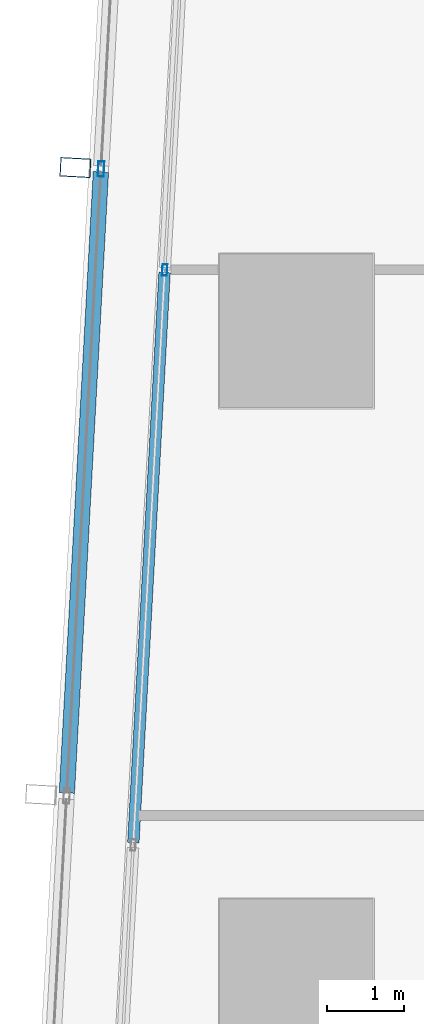
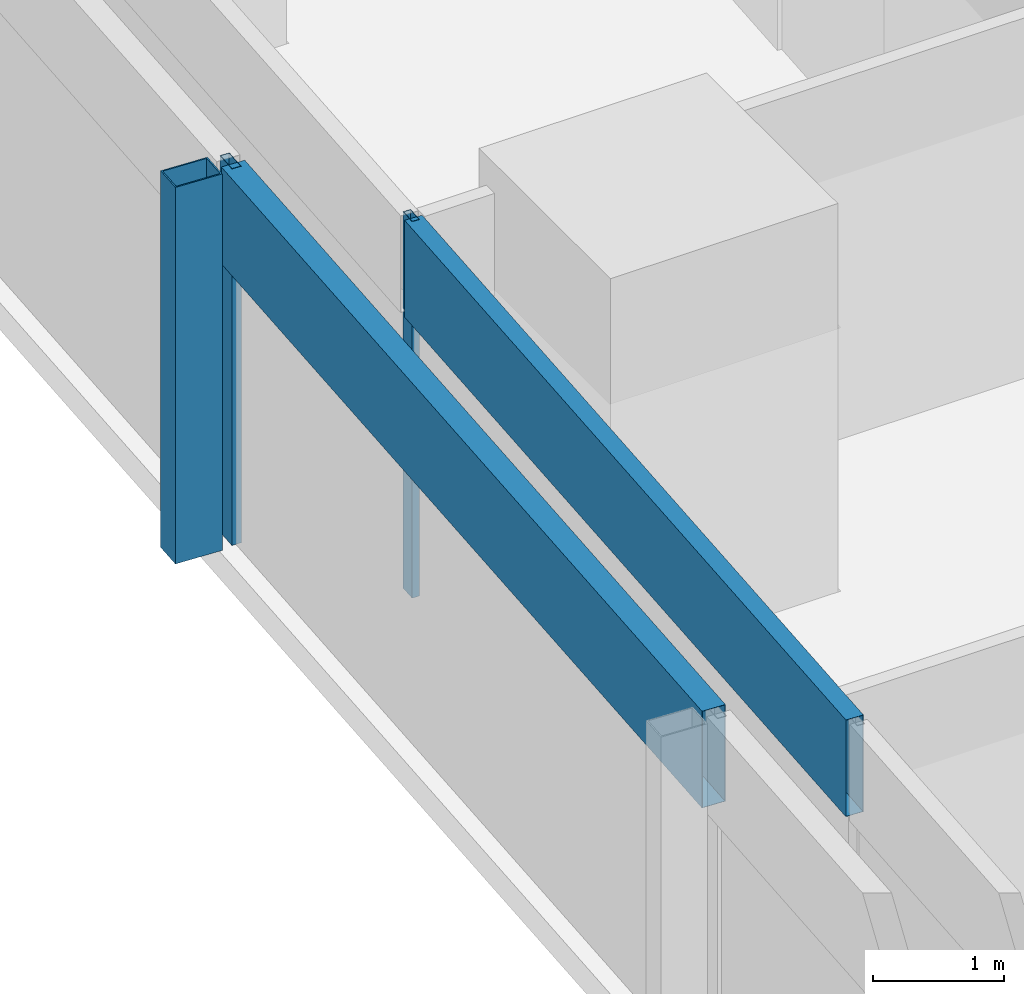
# One storey, part 8 of 39: 5 members, 2 elements without a shape of their own.
"""IFC4 building model written with IfcOpenShell, lengths in metres."""

from ifc_helpers import new_model, si_unit, direction, frame, origin, origin_2d, place, context, subcontext, project, spatial, hollow_rectangle, extrude, material, material_profile, profile_set, type_object, element, aggregate, save


model = new_model("IFC4")

# Units and contexts
model_context = context("Model", 3, precision=1e-05, world=origin(), true_north=direction((0.0, 1.0)))
body_context = subcontext(model_context, "Body", "Model", "MODEL_VIEW")
ifc_project = project(units=[si_unit("LENGTHUNIT", "METRE"), si_unit("AREAUNIT", "SQUARE_METRE"), si_unit("VOLUMEUNIT", "CUBIC_METRE"), si_unit("PLANEANGLEUNIT", "RADIAN"), si_unit("MASSUNIT", "GRAM", prefix="KILO")], contexts=[model_context])

# Site, building, storey
site_placement = place(None, origin())
site = spatial("IfcSite", under=ifc_project, at=site_placement, CompositionType="ELEMENT")
building_placement = place(site_placement, origin())
building = spatial("IfcBuilding", under=site, at=building_placement, Name="Rekha Terrace Tower", CompositionType="ELEMENT")
storey_placement = place(building_placement, frame((0.0, 0.0, 147.800048828125)))
storey = spatial("IfcBuildingStorey", under=building, at=storey_placement, Name="L37", CompositionType="ELEMENT", Elevation=147.800048828125)

# Curtain wall, member
ifc_material_1 = material(Name="Aluminium framing", Category="aluminium")
curtain_wall_type_1 = type_object("IfcCurtainWallType", Name="CW2 double skin outer glazing", PredefinedType="USERDEFINED", material=ifc_material_1)
curtain_wall_1_placement = place(storey_placement, origin())
curtain_wall_1 = element("IfcCurtainWall", 1, at=curtain_wall_1_placement, inside=storey, type_object=curtain_wall_type_1, Name="CW2 double skin outer glazing", ObjectType="DOUBLE SKIN OUTER GLAZING", PredefinedType="USERDEFINED")
ifc_material_2 = material(Name="Steel S355 with fluorocarbon finish", Category="steel")
ifc_material_profile_1 = material_profile(ifc_material_2, hollow_rectangle(XDim=0.25, YDim=0.39990234375, WallThickness=0.012451171875, at=origin_2d()), Name="RHS400x250x12.5")
ifc_profile_set_1 = profile_set([ifc_material_profile_1], Name="Steel S355 with fluorocarbon finish")
member_type_1 = type_object("IfcMemberType", Name="BL1 facade blade RHS 400 x 250", PredefinedType="USERDEFINED", material=ifc_profile_set_1)
member_1_placement = place(storey_placement, frame((5.521728515625, 44.128662109375, 0.0), z_axis=(0.0, 0.0, 1.0), x_axis=(-0.054742798353, -0.998500488747, 0.0)))
member_1 = element("IfcMember", 2, at=member_1_placement, type_object=member_type_1, Name="Facade blade", ObjectType="FACADE BLADE", PredefinedType="USERDEFINED", context=body_context, shape_type="SweptSolid", body=[
    extrude(hollow_rectangle(XDim=0.25, YDim=0.39990234375, WallThickness=0.012451171875, at=origin_2d()), origin(), (0.0, 0.0, 1.0), 3.5),
])

# Curtain wall, members
curtain_wall_type_2 = type_object("IfcCurtainWallType", Name="CW1 double skin inner glazing", PredefinedType="USERDEFINED", material=ifc_material_1)
curtain_wall_2_placement = place(storey_placement, origin())
curtain_wall_2 = element("IfcCurtainWall", 3, at=curtain_wall_2_placement, inside=storey, type_object=curtain_wall_type_2, Name="CW1 double skin inner glazing", ObjectType="DOUBLE SKIN INNER GLAZING", PredefinedType="USERDEFINED")
ifc_material_3 = material(Name="Aluminium mullion section", Category="aluminium")
ifc_material_profile_2 = material_profile(ifc_material_3, hollow_rectangle(XDim=0.06494140625, YDim=0.14990234375, WallThickness=0.00390625, at=origin_2d()), Name="AL RHS 65x150")
ifc_profile_set_2 = profile_set([ifc_material_profile_2], Name="Aluminium mullion section")
member_type_2 = type_object("IfcMemberType", Name="CW1 mullion RHS 65 x 150", PredefinedType="MULLION", material=ifc_profile_set_2)
member_2_placement = place(storey_placement, frame((6.685302734375, 42.794189453125, 0.0), z_axis=(0.0, 0.0, 1.0), x_axis=(0.99850051318, -0.054742352707, 0.0)))
member_2 = element("IfcMember", 4, at=member_2_placement, type_object=member_type_2, Name="CW1 mullion 3", PredefinedType="MULLION", context=body_context, shape_type="SweptSolid", body=[
    extrude(hollow_rectangle(XDim=0.06494140625, YDim=0.14990234375, WallThickness=0.00390625, at=origin_2d()), origin(), (0.0, 0.0, 1.0), 3.5),
])
ifc_material_4 = material(Name="Insulated aluminium spandrel box", Category="aluminium")
ifc_material_profile_3 = material_profile(ifc_material_4, hollow_rectangle(XDim=0.14990234375, YDim=0.89990234375, WallThickness=0.0029296875, at=origin_2d()), Name="AL SPANDREL BOX 150x900")
ifc_profile_set_3 = profile_set([ifc_material_profile_3], Name="Insulated aluminium spandrel box")
member_type_3 = type_object("IfcMemberType", Name="CW1 spandrel transom 150 x 900", PredefinedType="USERDEFINED", material=ifc_profile_set_3)
member_3_placement = place(storey_placement, frame((6.68359375, 42.76171875, 3.050048828125), z_axis=(-0.054726346149, -0.998501390604, 0.0), x_axis=(0.998501390604, -0.054726346149, 0.0)))
member_3 = element("IfcMember", 5, at=member_3_placement, type_object=member_type_3, Name="CW1 spandrel transom 3", ObjectType="TRANSOM", PredefinedType="USERDEFINED", context=body_context, shape_type="SweptSolid", body=[
    extrude(hollow_rectangle(XDim=0.14990234375, YDim=0.89990234375, WallThickness=0.0029296875, at=origin_2d()), origin(), (0.0, 0.0, 1.0), 7.436767578125),
])
aggregate(curtain_wall_2, [member_2, member_3])

# Member
ifc_material_profile_4 = material_profile(ifc_material_3, hollow_rectangle(XDim=0.080078125, YDim=0.199951171875, WallThickness=0.00390625, at=origin_2d()), Name="AL RHS 80x200")
ifc_profile_set_4 = profile_set([ifc_material_profile_4], Name="Aluminium mullion section")
member_type_4 = type_object("IfcMemberType", Name="CW2 mullion RHS 80 x 200", PredefinedType="MULLION", material=ifc_profile_set_4)
member_4_placement = place(storey_placement, frame((5.856201171875, 44.1103515625, 0.0), z_axis=(0.0, 0.0, 1.0), x_axis=(0.99850051318, -0.054742352707, 0.0)))
member_4 = element("IfcMember", 6, at=member_4_placement, type_object=member_type_4, Name="CW2 mullion 3", PredefinedType="MULLION", context=body_context, shape_type="SweptSolid", body=[
    extrude(hollow_rectangle(XDim=0.080078125, YDim=0.199951171875, WallThickness=0.00390625, at=origin_2d()), origin(), (0.0, 0.0, 1.0), 3.5),
])

ifc_material_profile_5 = material_profile(ifc_material_4, hollow_rectangle(XDim=0.199951171875, YDim=0.89990234375, WallThickness=0.0029296875, at=origin_2d()), Name="AL SPANDREL BOX 200x900")
ifc_profile_set_5 = profile_set([ifc_material_profile_5], Name="Insulated aluminium spandrel box")
member_type_5 = type_object("IfcMemberType", Name="CW2 spandrel transom 200 x 900", PredefinedType="USERDEFINED", material=ifc_profile_set_5)
member_5_placement = place(storey_placement, frame((5.85400390625, 44.070556640625, 3.050048828125), z_axis=(-0.054735499102, -0.998500888902, 0.0), x_axis=(0.998500888902, -0.054735499102, 0.0)))
member_5 = element("IfcMember", 7, at=member_5_placement, type_object=member_type_5, Name="CW2 spandrel transom 3", ObjectType="TRANSOM", PredefinedType="USERDEFINED", context=body_context, shape_type="SweptSolid", body=[
    extrude(hollow_rectangle(XDim=0.199951171875, YDim=0.89990234375, WallThickness=0.0029296875, at=origin_2d()), origin(), (0.0, 0.0, 1.0), 8.10009765625),
])

aggregate(curtain_wall_1, [member_4, member_5, member_1])

save(model, "model.ifc")
